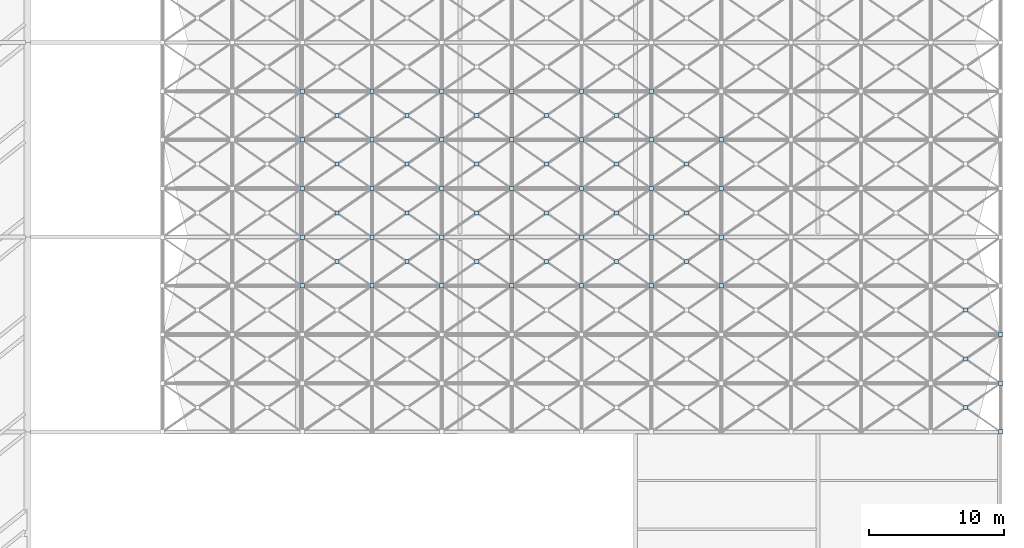
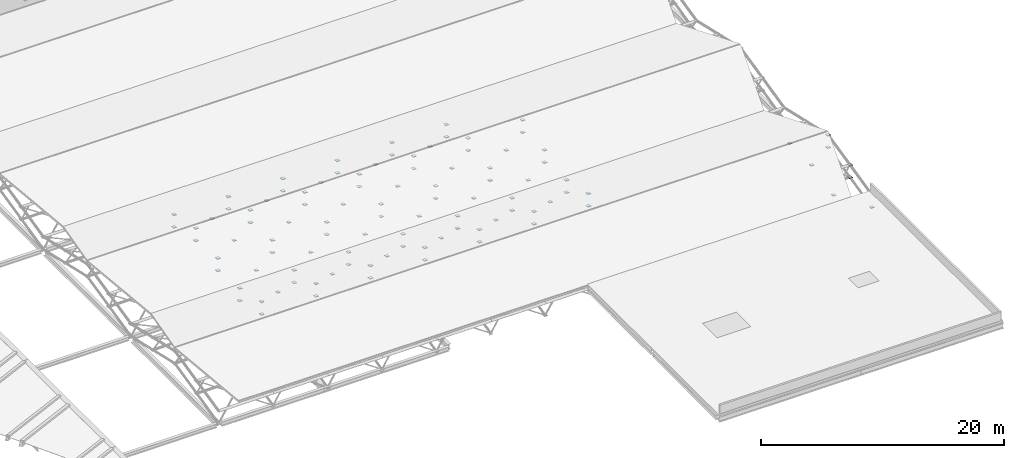
# One storey, part 94 of 110: 99 plates.
"""IFC4 building model written with IfcOpenShell, lengths in metres."""

from ifc_helpers import new_model, si_unit, direction, frame, origin, origin_2d, place, context, subcontext, project, spatial, rectangle, extrude, material, layer, layer_set, type_object, element, save


model = new_model("IFC4")

# Units and contexts
model_context = context("Model", 3, precision=1e-05, world=origin(), true_north=direction((0.0, 1.0)))
body_context = subcontext(model_context, "Body", "Model", "MODEL_VIEW")
ifc_project = project(units=[si_unit("LENGTHUNIT", "METRE"), si_unit("AREAUNIT", "SQUARE_METRE"), si_unit("VOLUMEUNIT", "CUBIC_METRE"), si_unit("PLANEANGLEUNIT", "RADIAN"), si_unit("MASSUNIT", "GRAM", prefix="KILO")], contexts=[model_context])

# Site, building, storey
site_placement = place(None, origin())
site = spatial("IfcSite", under=ifc_project, at=site_placement, CompositionType="ELEMENT")
building_placement = place(site_placement, origin())
building = spatial("IfcBuilding", under=site, at=building_placement, Name="Tamarisk Ironworks Central Station", CompositionType="ELEMENT")
storey_placement = place(building_placement, frame((0.0, 0.0, 17.39990234375)))
storey = spatial("IfcBuildingStorey", under=building, at=storey_placement, Name="L03", CompositionType="ELEMENT", Elevation=17.39990234375)

# Plates
ifc_material = material(Name="Structural steel S355J2H", Category="steel")
ifc_layer = layer(ifc_material, 0.02587890625)
ifc_layer_set = layer_set([ifc_layer], Name="Structural steel S355J2H")
plate_type = type_object("IfcPlateType", Name="PL-ND26", PredefinedType="SHEET", material=ifc_layer_set)
for number, where, z_axis, x_axis, name in (
    (1, (128.333251953125, 32.39990234375, 0.342041015625), (0.0, 0.0, 1.0), (1.0, 0.0, 0.0), "Space-frame collector node plate 0535"),
    (2, (128.333251953125, 32.39990234375, -0.907958984375), (0.0, 0.0, 1.0), (1.0, 0.0, 0.0), "Space-frame collector node plate 0537"),
    (3, (128.333251953125, 36.0, -0.48291015625), (0.0, 0.0, 1.0), (1.0, 0.0, 0.0), "Space-frame collector node plate 0538"),
    (4, (133.5, 32.39990234375, 0.342041015625), (0.0, 0.0, 1.0), (1.0, 0.0, 0.0), "Space-frame collector node plate 0546"),
):
    element("IfcPlate", number, at=place(storey_placement, frame(where, z_axis=z_axis, x_axis=x_axis)), inside=storey, type_object=plate_type, Name=name, PredefinedType="SHEET", context=body_context, shape_type="SweptSolid", body=[
        extrude(rectangle(XDim=0.320068359375, YDim=0.320068359375, at=origin_2d()), origin(), (0.0, 0.0, 1.0), 0.02587890625),
    ])
plate_1_placement = place(storey_placement, frame((130.916748046875, 34.199951171875, -0.6953125), z_axis=(0.0, 0.0, 1.0), x_axis=(1.0, 0.0, 0.0)))
element("IfcPlate", 5, at=plate_1_placement, inside=storey, type_object=plate_type, Name="Space-frame X-brace crossing gusset plate 0547", PredefinedType="SHEET", context=body_context, shape_type="SweptSolid", body=[
    extrude(rectangle(XDim=0.300048828125, YDim=0.300048828125, at=origin_2d()), origin(), (0.0, 0.0, 1.0), 0.02587890625),
])
for number, where, z_axis, x_axis, name in (
    (6, (133.5, 32.39990234375, -0.907958984375), (0.0, 0.0, 1.0), (1.0, 0.0, 0.0), "Space-frame collector node plate 0548"),
    (7, (133.5, 36.0, -0.48291015625), (0.0, 0.0, 1.0), (1.0, 0.0, 0.0), "Space-frame collector node plate 0549"),
    (8, (138.666748046875, 32.39990234375, 0.342041015625), (0.0, 0.0, 1.0), (1.0, 0.0, 0.0), "Space-frame collector node plate 0558"),
):
    element("IfcPlate", number, at=place(storey_placement, frame(where, z_axis=z_axis, x_axis=x_axis)), inside=storey, type_object=plate_type, Name=name, PredefinedType="SHEET", context=body_context, shape_type="SweptSolid", body=[
        extrude(rectangle(XDim=0.320068359375, YDim=0.320068359375, at=origin_2d()), origin(), (0.0, 0.0, 1.0), 0.02587890625),
    ])
plate_2_placement = place(storey_placement, frame((136.083251953125, 34.199951171875, -0.6953125), z_axis=(0.0, 0.0, 1.0), x_axis=(1.0, 0.0, 0.0)))
element("IfcPlate", 9, at=plate_2_placement, inside=storey, type_object=plate_type, Name="Space-frame X-brace crossing gusset plate 0559", PredefinedType="SHEET", context=body_context, shape_type="SweptSolid", body=[
    extrude(rectangle(XDim=0.300048828125, YDim=0.300048828125, at=origin_2d()), origin(), (0.0, 0.0, 1.0), 0.02587890625),
])
for number, where, z_axis, x_axis, name in (
    (10, (138.666748046875, 32.39990234375, -0.907958984375), (0.0, 0.0, 1.0), (1.0, 0.0, 0.0), "Space-frame collector node plate 0560"),
    (11, (138.666748046875, 36.0, -0.48291015625), (0.0, 0.0, 1.0), (1.0, 0.0, 0.0), "Space-frame collector node plate 0561"),
    (12, (143.833251953125, 32.39990234375, 0.342041015625), (0.0, 0.0, 1.0), (1.0, 0.0, 0.0), "Space-frame collector node plate 0569"),
):
    element("IfcPlate", number, at=place(storey_placement, frame(where, z_axis=z_axis, x_axis=x_axis)), inside=storey, type_object=plate_type, Name=name, PredefinedType="SHEET", context=body_context, shape_type="SweptSolid", body=[
        extrude(rectangle(XDim=0.320068359375, YDim=0.320068359375, at=origin_2d()), origin(), (0.0, 0.0, 1.0), 0.02587890625),
    ])
plate_3_placement = place(storey_placement, frame((141.25, 34.199951171875, -0.6953125), z_axis=(0.0, 0.0, 1.0), x_axis=(1.0, 0.0, 0.0)))
element("IfcPlate", 13, at=plate_3_placement, inside=storey, type_object=plate_type, Name="Space-frame X-brace crossing gusset plate 0570", PredefinedType="SHEET", context=body_context, shape_type="SweptSolid", body=[
    extrude(rectangle(XDim=0.300048828125, YDim=0.300048828125, at=origin_2d()), origin(), (0.0, 0.0, 1.0), 0.02587890625),
])
for number, where, z_axis, x_axis, name in (
    (14, (143.833251953125, 32.39990234375, -0.907958984375), (0.0, 0.0, 1.0), (1.0, 0.0, 0.0), "Space-frame collector node plate 0571"),
    (15, (143.833251953125, 36.0, -0.48291015625), (0.0, 0.0, 1.0), (1.0, 0.0, 0.0), "Space-frame collector node plate 0572"),
    (16, (149.0, 32.39990234375, 0.342041015625), (0.0, 0.0, 1.0), (1.0, 0.0, 0.0), "Space-frame collector node plate 0581"),
):
    element("IfcPlate", number, at=place(storey_placement, frame(where, z_axis=z_axis, x_axis=x_axis)), inside=storey, type_object=plate_type, Name=name, PredefinedType="SHEET", context=body_context, shape_type="SweptSolid", body=[
        extrude(rectangle(XDim=0.320068359375, YDim=0.320068359375, at=origin_2d()), origin(), (0.0, 0.0, 1.0), 0.02587890625),
    ])
plate_4_placement = place(storey_placement, frame((146.416748046875, 34.199951171875, -0.6953125), z_axis=(0.0, 0.0, 1.0), x_axis=(1.0, 0.0, 0.0)))
element("IfcPlate", 17, at=plate_4_placement, inside=storey, type_object=plate_type, Name="Space-frame X-brace crossing gusset plate 0582", PredefinedType="SHEET", context=body_context, shape_type="SweptSolid", body=[
    extrude(rectangle(XDim=0.300048828125, YDim=0.300048828125, at=origin_2d()), origin(), (0.0, 0.0, 1.0), 0.02587890625),
])
for number, where, z_axis, x_axis, name in (
    (18, (149.0, 32.39990234375, -0.907958984375), (0.0, 0.0, 1.0), (1.0, 0.0, 0.0), "Space-frame collector node plate 0583"),
    (19, (149.0, 36.0, -0.48291015625), (0.0, 0.0, 1.0), (1.0, 0.0, 0.0), "Space-frame collector node plate 0584"),
    (20, (154.166748046875, 32.39990234375, 0.342041015625), (0.0, 0.0, 1.0), (1.0, 0.0, 0.0), "Space-frame collector node plate 0593"),
):
    element("IfcPlate", number, at=place(storey_placement, frame(where, z_axis=z_axis, x_axis=x_axis)), inside=storey, type_object=plate_type, Name=name, PredefinedType="SHEET", context=body_context, shape_type="SweptSolid", body=[
        extrude(rectangle(XDim=0.320068359375, YDim=0.320068359375, at=origin_2d()), origin(), (0.0, 0.0, 1.0), 0.02587890625),
    ])
plate_5_placement = place(storey_placement, frame((151.583251953125, 34.199951171875, -0.6953125), z_axis=(0.0, 0.0, 1.0), x_axis=(1.0, 0.0, 0.0)))
element("IfcPlate", 21, at=plate_5_placement, inside=storey, type_object=plate_type, Name="Space-frame X-brace crossing gusset plate 0594", PredefinedType="SHEET", context=body_context, shape_type="SweptSolid", body=[
    extrude(rectangle(XDim=0.300048828125, YDim=0.300048828125, at=origin_2d()), origin(), (0.0, 0.0, 1.0), 0.02587890625),
])
for number, where, z_axis, x_axis, name in (
    (22, (154.166748046875, 32.39990234375, -0.907958984375), (0.0, 0.0, 1.0), (1.0, 0.0, 0.0), "Space-frame collector node plate 0595"),
    (23, (154.166748046875, 36.0, -0.48291015625), (0.0, 0.0, 1.0), (1.0, 0.0, 0.0), "Space-frame collector node plate 0596"),
    (24, (159.333251953125, 32.39990234375, 0.342041015625), (0.0, 0.0, 1.0), (1.0, 0.0, 0.0), "Space-frame collector node plate 0604"),
):
    element("IfcPlate", number, at=place(storey_placement, frame(where, z_axis=z_axis, x_axis=x_axis)), inside=storey, type_object=plate_type, Name=name, PredefinedType="SHEET", context=body_context, shape_type="SweptSolid", body=[
        extrude(rectangle(XDim=0.320068359375, YDim=0.320068359375, at=origin_2d()), origin(), (0.0, 0.0, 1.0), 0.02587890625),
    ])
plate_6_placement = place(storey_placement, frame((156.75, 34.199951171875, -0.6953125), z_axis=(0.0, 0.0, 1.0), x_axis=(1.0, 0.0, 0.0)))
element("IfcPlate", 25, at=plate_6_placement, inside=storey, type_object=plate_type, Name="Space-frame X-brace crossing gusset plate 0605", PredefinedType="SHEET", context=body_context, shape_type="SweptSolid", body=[
    extrude(rectangle(XDim=0.300048828125, YDim=0.300048828125, at=origin_2d()), origin(), (0.0, 0.0, 1.0), 0.02587890625),
])
for number, where, z_axis, x_axis, name in (
    (26, (159.333251953125, 32.39990234375, -0.907958984375), (0.0, 0.0, 1.0), (1.0, 0.0, 0.0), "Space-frame collector node plate 0606"),
    (27, (159.333251953125, 36.0, -0.48291015625), (0.0, 0.0, 1.0), (1.0, 0.0, 0.0), "Space-frame collector node plate 0607"),
):
    element("IfcPlate", number, at=place(storey_placement, frame(where, z_axis=z_axis, x_axis=x_axis)), inside=storey, type_object=plate_type, Name=name, PredefinedType="SHEET", context=body_context, shape_type="SweptSolid", body=[
        extrude(rectangle(XDim=0.320068359375, YDim=0.320068359375, at=origin_2d()), origin(), (0.0, 0.0, 1.0), 0.02587890625),
    ])
plate_7_placement = place(storey_placement, frame((177.416748046875, 23.39990234375, -0.6953125), z_axis=(0.0, 0.0, 1.0), x_axis=(1.0, 0.0, 0.0)))
element("IfcPlate", 28, at=plate_7_placement, inside=storey, type_object=plate_type, Name="Space-frame X-brace crossing gusset plate 0643", PredefinedType="SHEET", context=body_context, shape_type="SweptSolid", body=[
    extrude(rectangle(XDim=0.300048828125, YDim=0.300048828125, at=origin_2d()), origin(), (0.0, 0.0, 1.0), 0.02587890625),
])
for number, where, z_axis, x_axis, name in (
    (29, (180.0, 21.60009765625, -1.73291015625), (0.0, 0.0, 1.0), (1.0, 0.0, 0.0), "Space-frame collector node plate 0644"),
    (30, (180.0, 25.199951171875, 0.342041015625), (0.0, 0.0, 1.0), (1.0, 0.0, 0.0), "Space-frame collector node plate 0645"),
):
    element("IfcPlate", number, at=place(storey_placement, frame(where, z_axis=z_axis, x_axis=x_axis)), inside=storey, type_object=plate_type, Name=name, PredefinedType="SHEET", context=body_context, shape_type="SweptSolid", body=[
        extrude(rectangle(XDim=0.320068359375, YDim=0.320068359375, at=origin_2d()), origin(), (0.0, 0.0, 1.0), 0.02587890625),
    ])
plate_8_placement = place(storey_placement, frame((177.416748046875, 27.0, 0.129638671875), z_axis=(0.0, 0.0, 1.0), x_axis=(1.0, 0.0, 0.0)))
element("IfcPlate", 31, at=plate_8_placement, inside=storey, type_object=plate_type, Name="Space-frame X-brace crossing gusset plate 0646", PredefinedType="SHEET", context=body_context, shape_type="SweptSolid", body=[
    extrude(rectangle(XDim=0.300048828125, YDim=0.300048828125, at=origin_2d()), origin(), (0.0, 0.0, 1.0), 0.02587890625),
])
for number, where, z_axis, x_axis, name in (
    (32, (180.0, 25.199951171875, -0.907958984375), (0.0, 0.0, 1.0), (1.0, 0.0, 0.0), "Space-frame collector node plate 0647"),
    (33, (180.0, 28.800048828125, 1.167236328125), (0.0, 0.0, 1.0), (1.0, 0.0, 0.0), "Space-frame collector node plate 0648"),
):
    element("IfcPlate", number, at=place(storey_placement, frame(where, z_axis=z_axis, x_axis=x_axis)), inside=storey, type_object=plate_type, Name=name, PredefinedType="SHEET", context=body_context, shape_type="SweptSolid", body=[
        extrude(rectangle(XDim=0.320068359375, YDim=0.320068359375, at=origin_2d()), origin(), (0.0, 0.0, 1.0), 0.02587890625),
    ])
plate_9_placement = place(storey_placement, frame((177.416748046875, 30.60009765625, 0.129638671875), z_axis=(0.0, 0.0, 1.0), x_axis=(1.0, 0.0, 0.0)))
element("IfcPlate", 34, at=plate_9_placement, inside=storey, type_object=plate_type, Name="Space-frame X-brace crossing gusset plate 0649", PredefinedType="SHEET", context=body_context, shape_type="SweptSolid", body=[
    extrude(rectangle(XDim=0.300048828125, YDim=0.300048828125, at=origin_2d()), origin(), (0.0, 0.0, 1.0), 0.02587890625),
])
for number, where, z_axis, x_axis, name in (
    (35, (180.0, 28.800048828125, -0.082763671875), (0.0, 0.0, 1.0), (1.0, 0.0, 0.0), "Space-frame collector node plate 0650"),
    (36, (128.333251953125, 36.0, -1.73291015625), (0.0, 0.0, 1.0), (1.0, 0.0, 0.0), "Space-frame collector node plate 0676"),
    (37, (128.333251953125, 39.60009765625, 0.342041015625), (0.0, 0.0, 1.0), (1.0, 0.0, 0.0), "Space-frame collector node plate 0677"),
    (38, (128.333251953125, 39.60009765625, -0.907958984375), (0.0, 0.0, 1.0), (1.0, 0.0, 0.0), "Space-frame collector node plate 0679"),
    (39, (128.333251953125, 43.199951171875, 1.167236328125), (0.0, 0.0, 1.0), (1.0, 0.0, 0.0), "Space-frame collector node plate 0680"),
    (40, (128.333251953125, 43.199951171875, -0.082763671875), (0.0, 0.0, 1.0), (1.0, 0.0, 0.0), "Space-frame collector node plate 0682"),
    (41, (128.333251953125, 46.800048828125, 0.342041015625), (0.0, 0.0, 1.0), (1.0, 0.0, 0.0), "Space-frame collector node plate 0683"),
    (42, (128.333251953125, 46.800048828125, -0.907958984375), (0.0, 0.0, 1.0), (1.0, 0.0, 0.0), "Space-frame collector node plate 0685"),
):
    element("IfcPlate", number, at=place(storey_placement, frame(where, z_axis=z_axis, x_axis=x_axis)), inside=storey, type_object=plate_type, Name=name, PredefinedType="SHEET", context=body_context, shape_type="SweptSolid", body=[
        extrude(rectangle(XDim=0.320068359375, YDim=0.320068359375, at=origin_2d()), origin(), (0.0, 0.0, 1.0), 0.02587890625),
    ])
plate_10_placement = place(storey_placement, frame((130.916748046875, 37.800048828125, -0.6953125), z_axis=(0.0, 0.0, 1.0), x_axis=(1.0, 0.0, 0.0)))
element("IfcPlate", 43, at=plate_10_placement, inside=storey, type_object=plate_type, Name="Space-frame X-brace crossing gusset plate 0687", PredefinedType="SHEET", context=body_context, shape_type="SweptSolid", body=[
    extrude(rectangle(XDim=0.300048828125, YDim=0.300048828125, at=origin_2d()), origin(), (0.0, 0.0, 1.0), 0.02587890625),
])
for number, where, z_axis, x_axis, name in (
    (44, (133.5, 36.0, -1.73291015625), (0.0, 0.0, 1.0), (1.0, 0.0, 0.0), "Space-frame collector node plate 0688"),
    (45, (133.5, 39.60009765625, 0.342041015625), (0.0, 0.0, 1.0), (1.0, 0.0, 0.0), "Space-frame collector node plate 0689"),
):
    element("IfcPlate", number, at=place(storey_placement, frame(where, z_axis=z_axis, x_axis=x_axis)), inside=storey, type_object=plate_type, Name=name, PredefinedType="SHEET", context=body_context, shape_type="SweptSolid", body=[
        extrude(rectangle(XDim=0.320068359375, YDim=0.320068359375, at=origin_2d()), origin(), (0.0, 0.0, 1.0), 0.02587890625),
    ])
plate_11_placement = place(storey_placement, frame((130.916748046875, 41.39990234375, 0.129638671875), z_axis=(0.0, 0.0, 1.0), x_axis=(1.0, 0.0, 0.0)))
element("IfcPlate", 46, at=plate_11_placement, inside=storey, type_object=plate_type, Name="Space-frame X-brace crossing gusset plate 0690", PredefinedType="SHEET", context=body_context, shape_type="SweptSolid", body=[
    extrude(rectangle(XDim=0.300048828125, YDim=0.300048828125, at=origin_2d()), origin(), (0.0, 0.0, 1.0), 0.02587890625),
])
for number, where, z_axis, x_axis, name in (
    (47, (133.5, 39.60009765625, -0.907958984375), (0.0, 0.0, 1.0), (1.0, 0.0, 0.0), "Space-frame collector node plate 0691"),
    (48, (133.5, 43.199951171875, 1.167236328125), (0.0, 0.0, 1.0), (1.0, 0.0, 0.0), "Space-frame collector node plate 0692"),
):
    element("IfcPlate", number, at=place(storey_placement, frame(where, z_axis=z_axis, x_axis=x_axis)), inside=storey, type_object=plate_type, Name=name, PredefinedType="SHEET", context=body_context, shape_type="SweptSolid", body=[
        extrude(rectangle(XDim=0.320068359375, YDim=0.320068359375, at=origin_2d()), origin(), (0.0, 0.0, 1.0), 0.02587890625),
    ])
plate_12_placement = place(storey_placement, frame((130.916748046875, 45.0, 0.129638671875), z_axis=(0.0, 0.0, 1.0), x_axis=(1.0, 0.0, 0.0)))
element("IfcPlate", 49, at=plate_12_placement, inside=storey, type_object=plate_type, Name="Space-frame X-brace crossing gusset plate 0693", PredefinedType="SHEET", context=body_context, shape_type="SweptSolid", body=[
    extrude(rectangle(XDim=0.300048828125, YDim=0.300048828125, at=origin_2d()), origin(), (0.0, 0.0, 1.0), 0.02587890625),
])
for number, where, z_axis, x_axis, name in (
    (50, (133.5, 43.199951171875, -0.082763671875), (0.0, 0.0, 1.0), (1.0, 0.0, 0.0), "Space-frame collector node plate 0694"),
    (51, (133.5, 46.800048828125, 0.342041015625), (0.0, 0.0, 1.0), (1.0, 0.0, 0.0), "Space-frame collector node plate 0695"),
    (52, (133.5, 46.800048828125, -0.907958984375), (0.0, 0.0, 1.0), (1.0, 0.0, 0.0), "Space-frame collector node plate 0697"),
):
    element("IfcPlate", number, at=place(storey_placement, frame(where, z_axis=z_axis, x_axis=x_axis)), inside=storey, type_object=plate_type, Name=name, PredefinedType="SHEET", context=body_context, shape_type="SweptSolid", body=[
        extrude(rectangle(XDim=0.320068359375, YDim=0.320068359375, at=origin_2d()), origin(), (0.0, 0.0, 1.0), 0.02587890625),
    ])
plate_13_placement = place(storey_placement, frame((136.083251953125, 37.800048828125, -0.6953125), z_axis=(0.0, 0.0, 1.0), x_axis=(1.0, 0.0, 0.0)))
element("IfcPlate", 53, at=plate_13_placement, inside=storey, type_object=plate_type, Name="Space-frame X-brace crossing gusset plate 0699", PredefinedType="SHEET", context=body_context, shape_type="SweptSolid", body=[
    extrude(rectangle(XDim=0.300048828125, YDim=0.300048828125, at=origin_2d()), origin(), (0.0, 0.0, 1.0), 0.02587890625),
])
for number, where, z_axis, x_axis, name in (
    (54, (138.666748046875, 36.0, -1.73291015625), (0.0, 0.0, 1.0), (1.0, 0.0, 0.0), "Space-frame collector node plate 0700"),
    (55, (138.666748046875, 39.60009765625, 0.342041015625), (0.0, 0.0, 1.0), (1.0, 0.0, 0.0), "Space-frame collector node plate 0701"),
):
    element("IfcPlate", number, at=place(storey_placement, frame(where, z_axis=z_axis, x_axis=x_axis)), inside=storey, type_object=plate_type, Name=name, PredefinedType="SHEET", context=body_context, shape_type="SweptSolid", body=[
        extrude(rectangle(XDim=0.320068359375, YDim=0.320068359375, at=origin_2d()), origin(), (0.0, 0.0, 1.0), 0.02587890625),
    ])
plate_14_placement = place(storey_placement, frame((136.083251953125, 41.39990234375, 0.129638671875), z_axis=(0.0, 0.0, 1.0), x_axis=(1.0, 0.0, 0.0)))
element("IfcPlate", 56, at=plate_14_placement, inside=storey, type_object=plate_type, Name="Space-frame X-brace crossing gusset plate 0702", PredefinedType="SHEET", context=body_context, shape_type="SweptSolid", body=[
    extrude(rectangle(XDim=0.300048828125, YDim=0.300048828125, at=origin_2d()), origin(), (0.0, 0.0, 1.0), 0.02587890625),
])
for number, where, z_axis, x_axis, name in (
    (57, (138.666748046875, 39.60009765625, -0.907958984375), (0.0, 0.0, 1.0), (1.0, 0.0, 0.0), "Space-frame collector node plate 0703"),
    (58, (138.666748046875, 43.199951171875, 1.167236328125), (0.0, 0.0, 1.0), (1.0, 0.0, 0.0), "Space-frame collector node plate 0704"),
):
    element("IfcPlate", number, at=place(storey_placement, frame(where, z_axis=z_axis, x_axis=x_axis)), inside=storey, type_object=plate_type, Name=name, PredefinedType="SHEET", context=body_context, shape_type="SweptSolid", body=[
        extrude(rectangle(XDim=0.320068359375, YDim=0.320068359375, at=origin_2d()), origin(), (0.0, 0.0, 1.0), 0.02587890625),
    ])
plate_15_placement = place(storey_placement, frame((136.083251953125, 45.0, 0.129638671875), z_axis=(0.0, 0.0, 1.0), x_axis=(1.0, 0.0, 0.0)))
element("IfcPlate", 59, at=plate_15_placement, inside=storey, type_object=plate_type, Name="Space-frame X-brace crossing gusset plate 0705", PredefinedType="SHEET", context=body_context, shape_type="SweptSolid", body=[
    extrude(rectangle(XDim=0.300048828125, YDim=0.300048828125, at=origin_2d()), origin(), (0.0, 0.0, 1.0), 0.02587890625),
])
for number, where, z_axis, x_axis, name in (
    (60, (138.666748046875, 43.199951171875, -0.082763671875), (0.0, 0.0, 1.0), (1.0, 0.0, 0.0), "Space-frame collector node plate 0706"),
    (61, (138.666748046875, 46.800048828125, 0.342041015625), (0.0, 0.0, 1.0), (1.0, 0.0, 0.0), "Space-frame collector node plate 0707"),
    (62, (138.666748046875, 46.800048828125, -0.907958984375), (0.0, 0.0, 1.0), (1.0, 0.0, 0.0), "Space-frame collector node plate 0709"),
):
    element("IfcPlate", number, at=place(storey_placement, frame(where, z_axis=z_axis, x_axis=x_axis)), inside=storey, type_object=plate_type, Name=name, PredefinedType="SHEET", context=body_context, shape_type="SweptSolid", body=[
        extrude(rectangle(XDim=0.320068359375, YDim=0.320068359375, at=origin_2d()), origin(), (0.0, 0.0, 1.0), 0.02587890625),
    ])
plate_16_placement = place(storey_placement, frame((141.25, 37.800048828125, -0.6953125), z_axis=(0.0, 0.0, 1.0), x_axis=(1.0, 0.0, 0.0)))
element("IfcPlate", 63, at=plate_16_placement, inside=storey, type_object=plate_type, Name="Space-frame X-brace crossing gusset plate 0711", PredefinedType="SHEET", context=body_context, shape_type="SweptSolid", body=[
    extrude(rectangle(XDim=0.300048828125, YDim=0.300048828125, at=origin_2d()), origin(), (0.0, 0.0, 1.0), 0.02587890625),
])
for number, where, z_axis, x_axis, name in (
    (64, (143.833251953125, 36.0, -1.73291015625), (0.0, 0.0, 1.0), (1.0, 0.0, 0.0), "Space-frame collector node plate 0712"),
    (65, (143.833251953125, 39.60009765625, 0.342041015625), (0.0, 0.0, 1.0), (1.0, 0.0, 0.0), "Space-frame collector node plate 0713"),
):
    element("IfcPlate", number, at=place(storey_placement, frame(where, z_axis=z_axis, x_axis=x_axis)), inside=storey, type_object=plate_type, Name=name, PredefinedType="SHEET", context=body_context, shape_type="SweptSolid", body=[
        extrude(rectangle(XDim=0.320068359375, YDim=0.320068359375, at=origin_2d()), origin(), (0.0, 0.0, 1.0), 0.02587890625),
    ])
plate_17_placement = place(storey_placement, frame((141.25, 41.39990234375, 0.129638671875), z_axis=(0.0, 0.0, 1.0), x_axis=(1.0, 0.0, 0.0)))
element("IfcPlate", 66, at=plate_17_placement, inside=storey, type_object=plate_type, Name="Space-frame X-brace crossing gusset plate 0714", PredefinedType="SHEET", context=body_context, shape_type="SweptSolid", body=[
    extrude(rectangle(XDim=0.300048828125, YDim=0.300048828125, at=origin_2d()), origin(), (0.0, 0.0, 1.0), 0.02587890625),
])
for number, where, z_axis, x_axis, name in (
    (67, (143.833251953125, 39.60009765625, -0.907958984375), (0.0, 0.0, 1.0), (1.0, 0.0, 0.0), "Space-frame collector node plate 0715"),
    (68, (143.833251953125, 43.199951171875, 1.167236328125), (0.0, 0.0, 1.0), (1.0, 0.0, 0.0), "Space-frame collector node plate 0716"),
):
    element("IfcPlate", number, at=place(storey_placement, frame(where, z_axis=z_axis, x_axis=x_axis)), inside=storey, type_object=plate_type, Name=name, PredefinedType="SHEET", context=body_context, shape_type="SweptSolid", body=[
        extrude(rectangle(XDim=0.320068359375, YDim=0.320068359375, at=origin_2d()), origin(), (0.0, 0.0, 1.0), 0.02587890625),
    ])
plate_18_placement = place(storey_placement, frame((141.25, 45.0, 0.129638671875), z_axis=(0.0, 0.0, 1.0), x_axis=(1.0, 0.0, 0.0)))
element("IfcPlate", 69, at=plate_18_placement, inside=storey, type_object=plate_type, Name="Space-frame X-brace crossing gusset plate 0717", PredefinedType="SHEET", context=body_context, shape_type="SweptSolid", body=[
    extrude(rectangle(XDim=0.300048828125, YDim=0.300048828125, at=origin_2d()), origin(), (0.0, 0.0, 1.0), 0.02587890625),
])
for number, where, z_axis, x_axis, name in (
    (70, (143.833251953125, 43.199951171875, -0.082763671875), (0.0, 0.0, 1.0), (1.0, 0.0, 0.0), "Space-frame collector node plate 0718"),
    (71, (143.833251953125, 46.800048828125, 0.342041015625), (0.0, 0.0, 1.0), (1.0, 0.0, 0.0), "Space-frame collector node plate 0719"),
    (72, (143.833251953125, 46.800048828125, -0.907958984375), (0.0, 0.0, 1.0), (1.0, 0.0, 0.0), "Space-frame collector node plate 0721"),
):
    element("IfcPlate", number, at=place(storey_placement, frame(where, z_axis=z_axis, x_axis=x_axis)), inside=storey, type_object=plate_type, Name=name, PredefinedType="SHEET", context=body_context, shape_type="SweptSolid", body=[
        extrude(rectangle(XDim=0.320068359375, YDim=0.320068359375, at=origin_2d()), origin(), (0.0, 0.0, 1.0), 0.02587890625),
    ])
plate_19_placement = place(storey_placement, frame((146.416748046875, 37.800048828125, -0.6953125), z_axis=(0.0, 0.0, 1.0), x_axis=(1.0, 0.0, 0.0)))
element("IfcPlate", 73, at=plate_19_placement, inside=storey, type_object=plate_type, Name="Space-frame X-brace crossing gusset plate 0723", PredefinedType="SHEET", context=body_context, shape_type="SweptSolid", body=[
    extrude(rectangle(XDim=0.300048828125, YDim=0.300048828125, at=origin_2d()), origin(), (0.0, 0.0, 1.0), 0.02587890625),
])
for number, where, z_axis, x_axis, name in (
    (74, (149.0, 36.0, -1.73291015625), (0.0, 0.0, 1.0), (1.0, 0.0, 0.0), "Space-frame collector node plate 0724"),
    (75, (149.0, 39.60009765625, 0.342041015625), (0.0, 0.0, 1.0), (1.0, 0.0, 0.0), "Space-frame collector node plate 0725"),
):
    element("IfcPlate", number, at=place(storey_placement, frame(where, z_axis=z_axis, x_axis=x_axis)), inside=storey, type_object=plate_type, Name=name, PredefinedType="SHEET", context=body_context, shape_type="SweptSolid", body=[
        extrude(rectangle(XDim=0.320068359375, YDim=0.320068359375, at=origin_2d()), origin(), (0.0, 0.0, 1.0), 0.02587890625),
    ])
plate_20_placement = place(storey_placement, frame((146.416748046875, 41.39990234375, 0.129638671875), z_axis=(0.0, 0.0, 1.0), x_axis=(1.0, 0.0, 0.0)))
element("IfcPlate", 76, at=plate_20_placement, inside=storey, type_object=plate_type, Name="Space-frame X-brace crossing gusset plate 0726", PredefinedType="SHEET", context=body_context, shape_type="SweptSolid", body=[
    extrude(rectangle(XDim=0.300048828125, YDim=0.300048828125, at=origin_2d()), origin(), (0.0, 0.0, 1.0), 0.02587890625),
])
for number, where, z_axis, x_axis, name in (
    (77, (149.0, 39.60009765625, -0.907958984375), (0.0, 0.0, 1.0), (1.0, 0.0, 0.0), "Space-frame collector node plate 0727"),
    (78, (149.0, 43.199951171875, 1.167236328125), (0.0, 0.0, 1.0), (1.0, 0.0, 0.0), "Space-frame collector node plate 0728"),
):
    element("IfcPlate", number, at=place(storey_placement, frame(where, z_axis=z_axis, x_axis=x_axis)), inside=storey, type_object=plate_type, Name=name, PredefinedType="SHEET", context=body_context, shape_type="SweptSolid", body=[
        extrude(rectangle(XDim=0.320068359375, YDim=0.320068359375, at=origin_2d()), origin(), (0.0, 0.0, 1.0), 0.02587890625),
    ])
plate_21_placement = place(storey_placement, frame((146.416748046875, 45.0, 0.129638671875), z_axis=(0.0, 0.0, 1.0), x_axis=(1.0, 0.0, 0.0)))
element("IfcPlate", 79, at=plate_21_placement, inside=storey, type_object=plate_type, Name="Space-frame X-brace crossing gusset plate 0729", PredefinedType="SHEET", context=body_context, shape_type="SweptSolid", body=[
    extrude(rectangle(XDim=0.300048828125, YDim=0.300048828125, at=origin_2d()), origin(), (0.0, 0.0, 1.0), 0.02587890625),
])
for number, where, z_axis, x_axis, name in (
    (80, (149.0, 43.199951171875, -0.082763671875), (0.0, 0.0, 1.0), (1.0, 0.0, 0.0), "Space-frame collector node plate 0730"),
    (81, (149.0, 46.800048828125, 0.342041015625), (0.0, 0.0, 1.0), (1.0, 0.0, 0.0), "Space-frame collector node plate 0731"),
    (82, (149.0, 46.800048828125, -0.907958984375), (0.0, 0.0, 1.0), (1.0, 0.0, 0.0), "Space-frame collector node plate 0733"),
):
    element("IfcPlate", number, at=place(storey_placement, frame(where, z_axis=z_axis, x_axis=x_axis)), inside=storey, type_object=plate_type, Name=name, PredefinedType="SHEET", context=body_context, shape_type="SweptSolid", body=[
        extrude(rectangle(XDim=0.320068359375, YDim=0.320068359375, at=origin_2d()), origin(), (0.0, 0.0, 1.0), 0.02587890625),
    ])
plate_22_placement = place(storey_placement, frame((151.583251953125, 37.800048828125, -0.6953125), z_axis=(0.0, 0.0, 1.0), x_axis=(1.0, 0.0, 0.0)))
element("IfcPlate", 83, at=plate_22_placement, inside=storey, type_object=plate_type, Name="Space-frame X-brace crossing gusset plate 0735", PredefinedType="SHEET", context=body_context, shape_type="SweptSolid", body=[
    extrude(rectangle(XDim=0.300048828125, YDim=0.300048828125, at=origin_2d()), origin(), (0.0, 0.0, 1.0), 0.02587890625),
])
for number, where, z_axis, x_axis, name in (
    (84, (154.166748046875, 36.0, -1.73291015625), (0.0, 0.0, 1.0), (1.0, 0.0, 0.0), "Space-frame collector node plate 0736"),
    (85, (154.166748046875, 39.60009765625, 0.342041015625), (0.0, 0.0, 1.0), (1.0, 0.0, 0.0), "Space-frame collector node plate 0737"),
):
    element("IfcPlate", number, at=place(storey_placement, frame(where, z_axis=z_axis, x_axis=x_axis)), inside=storey, type_object=plate_type, Name=name, PredefinedType="SHEET", context=body_context, shape_type="SweptSolid", body=[
        extrude(rectangle(XDim=0.320068359375, YDim=0.320068359375, at=origin_2d()), origin(), (0.0, 0.0, 1.0), 0.02587890625),
    ])
plate_23_placement = place(storey_placement, frame((151.583251953125, 41.39990234375, 0.129638671875), z_axis=(0.0, 0.0, 1.0), x_axis=(1.0, 0.0, 0.0)))
element("IfcPlate", 86, at=plate_23_placement, inside=storey, type_object=plate_type, Name="Space-frame X-brace crossing gusset plate 0738", PredefinedType="SHEET", context=body_context, shape_type="SweptSolid", body=[
    extrude(rectangle(XDim=0.300048828125, YDim=0.300048828125, at=origin_2d()), origin(), (0.0, 0.0, 1.0), 0.02587890625),
])
for number, where, z_axis, x_axis, name in (
    (87, (154.166748046875, 39.60009765625, -0.907958984375), (0.0, 0.0, 1.0), (1.0, 0.0, 0.0), "Space-frame collector node plate 0739"),
    (88, (154.166748046875, 43.199951171875, 1.167236328125), (0.0, 0.0, 1.0), (1.0, 0.0, 0.0), "Space-frame collector node plate 0740"),
):
    element("IfcPlate", number, at=place(storey_placement, frame(where, z_axis=z_axis, x_axis=x_axis)), inside=storey, type_object=plate_type, Name=name, PredefinedType="SHEET", context=body_context, shape_type="SweptSolid", body=[
        extrude(rectangle(XDim=0.320068359375, YDim=0.320068359375, at=origin_2d()), origin(), (0.0, 0.0, 1.0), 0.02587890625),
    ])
plate_24_placement = place(storey_placement, frame((151.583251953125, 45.0, 0.129638671875), z_axis=(0.0, 0.0, 1.0), x_axis=(1.0, 0.0, 0.0)))
element("IfcPlate", 89, at=plate_24_placement, inside=storey, type_object=plate_type, Name="Space-frame X-brace crossing gusset plate 0741", PredefinedType="SHEET", context=body_context, shape_type="SweptSolid", body=[
    extrude(rectangle(XDim=0.300048828125, YDim=0.300048828125, at=origin_2d()), origin(), (0.0, 0.0, 1.0), 0.02587890625),
])
for number, where, z_axis, x_axis, name in (
    (90, (154.166748046875, 43.199951171875, -0.082763671875), (0.0, 0.0, 1.0), (1.0, 0.0, 0.0), "Space-frame collector node plate 0742"),
    (91, (154.166748046875, 46.800048828125, 0.342041015625), (0.0, 0.0, 1.0), (1.0, 0.0, 0.0), "Space-frame collector node plate 0743"),
    (92, (154.166748046875, 46.800048828125, -0.907958984375), (0.0, 0.0, 1.0), (1.0, 0.0, 0.0), "Space-frame collector node plate 0745"),
):
    element("IfcPlate", number, at=place(storey_placement, frame(where, z_axis=z_axis, x_axis=x_axis)), inside=storey, type_object=plate_type, Name=name, PredefinedType="SHEET", context=body_context, shape_type="SweptSolid", body=[
        extrude(rectangle(XDim=0.320068359375, YDim=0.320068359375, at=origin_2d()), origin(), (0.0, 0.0, 1.0), 0.02587890625),
    ])
plate_25_placement = place(storey_placement, frame((156.75, 37.800048828125, -0.6953125), z_axis=(0.0, 0.0, 1.0), x_axis=(1.0, 0.0, 0.0)))
element("IfcPlate", 93, at=plate_25_placement, inside=storey, type_object=plate_type, Name="Space-frame X-brace crossing gusset plate 0747", PredefinedType="SHEET", context=body_context, shape_type="SweptSolid", body=[
    extrude(rectangle(XDim=0.300048828125, YDim=0.300048828125, at=origin_2d()), origin(), (0.0, 0.0, 1.0), 0.02587890625),
])
for number, where, z_axis, x_axis, name in (
    (94, (159.333251953125, 36.0, -1.73291015625), (0.0, 0.0, 1.0), (1.0, 0.0, 0.0), "Space-frame collector node plate 0748"),
    (95, (159.333251953125, 39.60009765625, 0.342041015625), (0.0, 0.0, 1.0), (1.0, 0.0, 0.0), "Space-frame collector node plate 0749"),
):
    element("IfcPlate", number, at=place(storey_placement, frame(where, z_axis=z_axis, x_axis=x_axis)), inside=storey, type_object=plate_type, Name=name, PredefinedType="SHEET", context=body_context, shape_type="SweptSolid", body=[
        extrude(rectangle(XDim=0.320068359375, YDim=0.320068359375, at=origin_2d()), origin(), (0.0, 0.0, 1.0), 0.02587890625),
    ])
plate_26_placement = place(storey_placement, frame((156.75, 41.39990234375, 0.129638671875), z_axis=(0.0, 0.0, 1.0), x_axis=(1.0, 0.0, 0.0)))
element("IfcPlate", 96, at=plate_26_placement, inside=storey, type_object=plate_type, Name="Space-frame X-brace crossing gusset plate 0750", PredefinedType="SHEET", context=body_context, shape_type="SweptSolid", body=[
    extrude(rectangle(XDim=0.300048828125, YDim=0.300048828125, at=origin_2d()), origin(), (0.0, 0.0, 1.0), 0.02587890625),
])
for number, where, z_axis, x_axis, name in (
    (97, (159.333251953125, 39.60009765625, -0.907958984375), (0.0, 0.0, 1.0), (1.0, 0.0, 0.0), "Space-frame collector node plate 0751"),
    (98, (159.333251953125, 43.199951171875, 1.167236328125), (0.0, 0.0, 1.0), (1.0, 0.0, 0.0), "Space-frame collector node plate 0752"),
    (99, (159.333251953125, 43.199951171875, -0.082763671875), (0.0, 0.0, 1.0), (1.0, 0.0, 0.0), "Space-frame collector node plate 0754"),
):
    element("IfcPlate", number, at=place(storey_placement, frame(where, z_axis=z_axis, x_axis=x_axis)), inside=storey, type_object=plate_type, Name=name, PredefinedType="SHEET", context=body_context, shape_type="SweptSolid", body=[
        extrude(rectangle(XDim=0.320068359375, YDim=0.320068359375, at=origin_2d()), origin(), (0.0, 0.0, 1.0), 0.02587890625),
    ])

save(model, "model.ifc")
